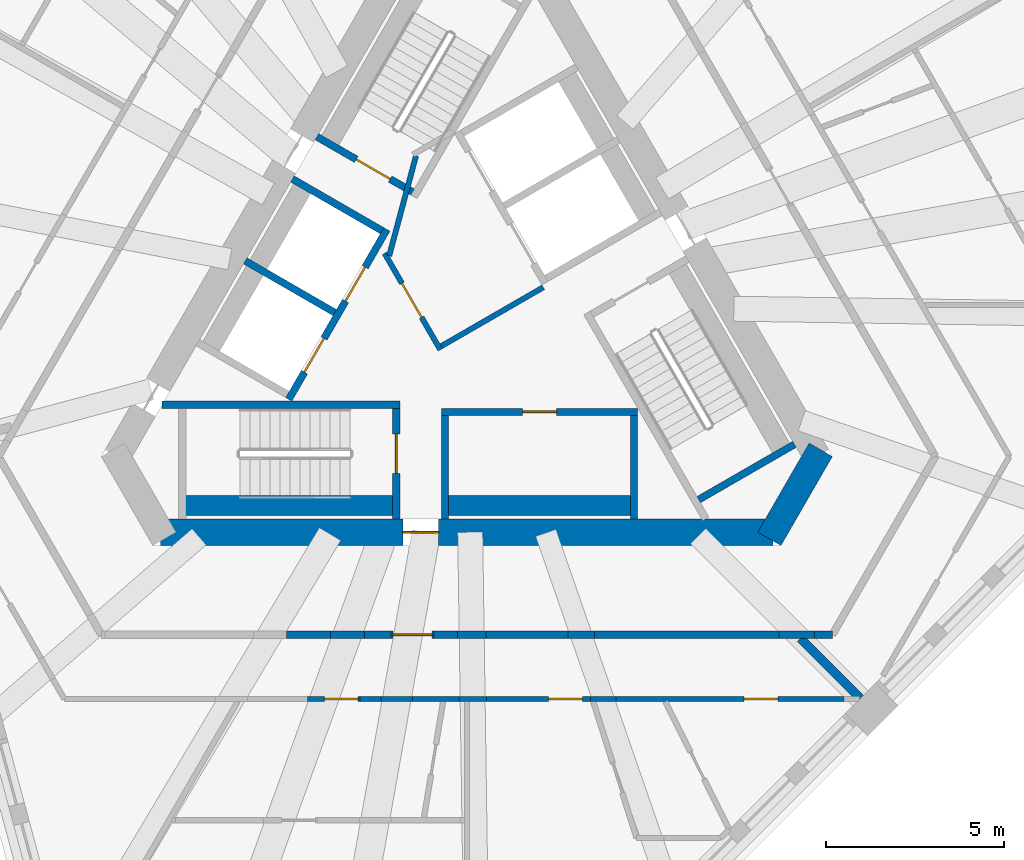
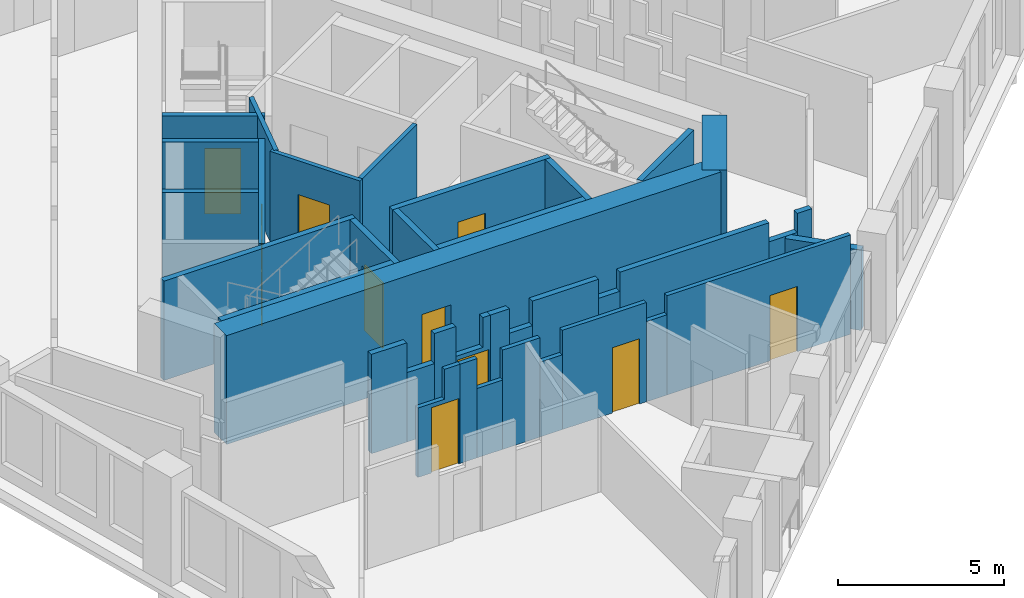
# One storey, part 4 of 13: 37 walls, 11 doors, 11 openings.
"""IFC4 building model written with IfcOpenShell, lengths in metres."""

from ifc_helpers import new_model, si_unit, direction, frame, frame_2d, origin, place, context, subcontext, project, spatial, polyline, rectangle, outline, extrude, material, layer, layer_set, type_object, element, fill, save


model = new_model("IFC4")

# Units and contexts
model_context = context("Model", 3, precision=1e-05, world=origin(), true_north=direction((0.0, 1.0)))
body_context = subcontext(model_context, "Body", "Model", "MODEL_VIEW")
ifc_project = project(units=[si_unit("LENGTHUNIT", "METRE"), si_unit("AREAUNIT", "SQUARE_METRE"), si_unit("VOLUMEUNIT", "CUBIC_METRE"), si_unit("PLANEANGLEUNIT", "RADIAN"), si_unit("MASSUNIT", "GRAM", prefix="KILO")], contexts=[model_context])

# Site, building, storey
site_placement = place(None, origin())
site = spatial("IfcSite", under=ifc_project, at=site_placement, CompositionType="ELEMENT")
building_placement = place(site_placement, origin())
building = spatial("IfcBuilding", under=site, at=building_placement, Name="Tramontana Tower", CompositionType="ELEMENT")
storey_placement = place(building_placement, frame((0.0, 0.0, 208.0)))
storey = spatial("IfcBuildingStorey", under=building, at=storey_placement, Name="L48", CompositionType="ELEMENT", Elevation=208.0)

# Wall, opening, door
ifc_material_1 = material(Name="Concrete 70 MPa", Category="concrete")
ifc_layer_1 = layer(ifc_material_1, 0.75)
ifc_layer_set_1 = layer_set([ifc_layer_1], Name="Core wall 750 70 MPa")
wall_type_1 = type_object("IfcWallType", Name="Core wall 750 70 MPa", PredefinedType="SHEAR", material=ifc_layer_set_1)
wall_1_placement = place(storey_placement, frame((-8.588134765625, -6.375, 0.0), z_axis=(0.0, 0.0, 1.0), x_axis=(1.0, 0.0, 0.0)))
wall_1 = element("IfcWall", 1, at=wall_1_placement, inside=storey, type_object=wall_type_1, Name="Core wall C3 L48", PredefinedType="SHEAR", context=body_context, shape_type="SweptSolid", body=[
    extrude(rectangle(XDim=17.17626953125, YDim=0.75, at=frame_2d((8.588134765625, 0.0))), origin(), (0.0, 0.0, 1.0), 4.0),
])
opening_1_placement = place(wall_1_placement, frame((6.793212890625, 0.0, 0.0)))
opening_1 = element("IfcOpeningElement", 2, at=opening_1_placement, cuts=wall_1, Name="Opening RG2", PredefinedType="OPENING", context=body_context, shape_type="SweptSolid", body=[
    extrude(rectangle(XDim=1.0, YDim=2.39990234375, at=frame_2d((0.5, 1.199951171875))), frame((0.0, 0.385009765625, 0.0), z_axis=(0.0, -1.0, 0.0), x_axis=(1.0, 0.0, 0.0)), (0.0, 0.0, 1.0), 0.77001953125),
])
ifc_material_2 = material(Name="Painted steel", Category="steel")
door_type_1 = type_object("IfcDoorType", Name="RING DOOR 1000", OperationType="SINGLE_SWING_LEFT", PredefinedType="DOOR", material=ifc_material_2)
door_1_placement = place(opening_1_placement, origin())
door_1 = element("IfcDoor", 3, at=door_1_placement, inside=storey, type_object=door_type_1, Name="Door RG2", OperationType="SINGLE_SWING_RIGHT", OverallHeight=2.39990234375, OverallWidth=1.0, PredefinedType="DOOR", context=body_context, shape_type="SweptSolid", body=[
    extrude(rectangle(XDim=1.0, YDim=2.39990234375, at=frame_2d((0.5, 1.199951171875))), frame((0.0, 0.02490234375, 0.0), z_axis=(0.0, -1.0, 0.0), x_axis=(1.0, 0.0, 0.0)), (0.0, 0.0, 1.0), 0.050048828125),
])
fill(opening_1, door_1)

# Walls
wall_2_placement = place(storey_placement, frame((8.479736328125, -6.5625, 0.0), z_axis=(0.0, 0.0, 1.0), x_axis=(0.499995765644, 0.866027848477, 0.0)))
element("IfcWall", 4, at=wall_2_placement, inside=storey, type_object=wall_type_1, Name="Core wall C4 L48", PredefinedType="SHEAR", context=body_context, shape_type="SweptSolid", body=[
    extrude(rectangle(XDim=2.88671875, YDim=0.75, at=frame_2d((1.443359375, 0.0))), origin(), (0.0, 0.0, 1.0), 4.0),
])
ifc_material_3 = material(Name="Blockwork", Category="masonry")
ifc_layer_2 = layer(ifc_material_3, 0.199951171875)
ifc_layer_set_2 = layer_set([ifc_layer_2], Name="ENTRY WALL 200")
wall_type_2 = type_object("IfcWallType", Name="ENTRY WALL 200", PredefinedType="SOLIDWALL", material=ifc_layer_set_2)
wall_3_placement = place(storey_placement, frame((10.248046875, -9.25, 0.0), z_axis=(0.0, 0.0, 1.0), x_axis=(-1.0, 0.0, 0.0)))
element("IfcWall", 5, at=wall_3_placement, inside=storey, type_object=wall_type_2, Name="Wall v50-ew2-0", PredefinedType="SOLIDWALL", context=body_context, shape_type="SweptSolid", body=[
    extrude(rectangle(XDim=0.503173828125, YDim=0.199951171875, at=frame_2d((0.25146484375, 0.0))), origin(), (0.0, 0.0, 1.0), 3.64990234375),
])
wall_4_placement = place(storey_placement, frame((9.744873046875, -9.25, 0.0), z_axis=(0.0, 0.0, 1.0), x_axis=(-1.0, 0.0, 0.0)))
element("IfcWall", 6, at=wall_4_placement, inside=storey, type_object=wall_type_2, Name="Wall v50-ew2-1", PredefinedType="SOLIDWALL", context=body_context, shape_type="SweptSolid", body=[
    extrude(rectangle(XDim=0.98974609375, YDim=0.199951171875, at=frame_2d((0.494873046875, 0.0))), origin(), (0.0, 0.0, 1.0), 2.949951171875),
])
wall_5_placement = place(storey_placement, frame((8.755126953125, -9.25, 0.0), z_axis=(0.0, 0.0, 1.0), x_axis=(-1.0, 0.0, 0.0)))
element("IfcWall", 7, at=wall_5_placement, inside=storey, type_object=wall_type_2, Name="Wall v50-ew2-2", PredefinedType="SOLIDWALL", context=body_context, shape_type="SweptSolid", body=[
    extrude(rectangle(XDim=5.18212890625, YDim=0.199951171875, at=frame_2d((2.591064453125, 0.0))), origin(), (0.0, 0.0, 1.0), 3.64990234375),
])
wall_6_placement = place(storey_placement, frame((3.572998046875, -9.25, 0.0), z_axis=(0.0, 0.0, 1.0), x_axis=(-1.0, 0.0, 0.0)))
element("IfcWall", 8, at=wall_6_placement, inside=storey, type_object=wall_type_2, Name="Wall v50-ew2-3", PredefinedType="SOLIDWALL", context=body_context, shape_type="SweptSolid", body=[
    extrude(rectangle(XDim=0.74072265625, YDim=0.199951171875, at=frame_2d((0.370361328125, 0.0))), origin(), (0.0, 0.0, 1.0), 2.949951171875),
])
wall_7_placement = place(storey_placement, frame((2.832275390625, -9.25, 0.0), z_axis=(0.0, 0.0, 1.0), x_axis=(-1.0, 0.0, 0.0)))
element("IfcWall", 9, at=wall_7_placement, inside=storey, type_object=wall_type_2, Name="Wall v50-ew2-4", PredefinedType="SOLIDWALL", context=body_context, shape_type="SweptSolid", body=[
    extrude(rectangle(XDim=2.29736328125, YDim=0.199951171875, at=frame_2d((1.148681640625, 0.0))), origin(), (0.0, 0.0, 1.0), 3.64990234375),
])
wall_8_placement = place(storey_placement, frame((0.534912109375, -9.25, 0.0), z_axis=(0.0, 0.0, 1.0), x_axis=(-1.0, 0.0, 0.0)))
element("IfcWall", 10, at=wall_8_placement, inside=storey, type_object=wall_type_2, Name="Wall v50-ew2-5", PredefinedType="SOLIDWALL", context=body_context, shape_type="SweptSolid", body=[
    extrude(rectangle(XDim=0.800048828125, YDim=0.199951171875, at=frame_2d((0.39990234375, 0.0))), origin(), (0.0, 0.0, 1.0), 2.75),
])
wall_9_placement = place(storey_placement, frame((-0.26513671875, -9.25, 0.0), z_axis=(0.0, 0.0, 1.0), x_axis=(-1.0, 0.0, 0.0)))
element("IfcWall", 11, at=wall_9_placement, inside=storey, type_object=wall_type_2, Name="Wall v50-ew2-6", PredefinedType="SOLIDWALL", context=body_context, shape_type="SweptSolid", body=[
    extrude(rectangle(XDim=0.656982421875, YDim=0.199951171875, at=frame_2d((0.32861328125, 0.0))), origin(), (0.0, 0.0, 1.0), 3.64990234375),
])

# Wall, opening, door
wall_10_placement = place(storey_placement, frame((-2.1220703125, -9.25, 0.0), z_axis=(0.0, 0.0, 1.0), x_axis=(1.0, 0.0, 0.0)))
wall_10 = element("IfcWall", 12, at=wall_10_placement, inside=storey, type_object=wall_type_2, Name="Wall v50-ew2-7", PredefinedType="SOLIDWALL", context=body_context, shape_type="SweptSolid", body=[
    extrude(outline(polyline([(0.0, 0.0), (1.199951171875, 0.0), (1.199951171875, 3.64990234375), (0.933349609375, 3.64990234375), (0.933349609375, 2.550048828125), (0.0, 2.550048828125), (0.0, 0.0)])), frame((0.0, 0.10009765625, 0.0), z_axis=(0.0, -1.0, 0.0), x_axis=(1.0, 0.0, 0.0)), (0.0, 0.0, 1.0), 0.199951171875),
])
opening_2_placement = place(wall_10_placement, frame((0.050048828125, 0.0, 0.0)))
opening_2 = element("IfcOpeningElement", 13, at=opening_2_placement, cuts=wall_10, Name="Opening B5A-23", PredefinedType="OPENING", context=body_context, shape_type="SweptSolid", body=[
    extrude(rectangle(XDim=1.10009765625, YDim=2.39990234375, at=frame_2d((0.550048828125, 1.199951171875))), frame((0.0, 0.10986328125, 0.0), z_axis=(0.0, -1.0, 0.0), x_axis=(1.0, 0.0, 0.0)), (0.0, 0.0, 1.0), 0.219970703125),
])
ifc_material_4 = material(Name="Painted timber", Category="wood")
door_type_2 = type_object("IfcDoorType", Name="DOOR ENTRY 1100", OperationType="SINGLE_SWING_LEFT", PredefinedType="DOOR", material=ifc_material_4)
door_2_placement = place(opening_2_placement, origin())
door_2 = element("IfcDoor", 14, at=door_2_placement, inside=storey, type_object=door_type_2, Name="Door B5A-23", OperationType="SINGLE_SWING_LEFT", OverallHeight=2.39990234375, OverallWidth=1.10009765625, PredefinedType="DOOR", context=body_context, shape_type="SweptSolid", body=[
    extrude(rectangle(XDim=1.10009765625, YDim=2.39990234375, at=frame_2d((0.550048828125, 1.199951171875))), frame((0.0, 0.02490234375, 0.0), z_axis=(0.0, -1.0, 0.0), x_axis=(1.0, 0.0, 0.0)), (0.0, 0.0, 1.0), 0.050048828125),
])
fill(opening_2, door_2)

# Walls
wall_11_placement = place(storey_placement, frame((-2.1220703125, -9.25, 0.0), z_axis=(0.0, 0.0, 1.0), x_axis=(-1.0, 0.0, 0.0)))
element("IfcWall", 15, at=wall_11_placement, inside=storey, type_object=wall_type_2, Name="Wall v50-ew2-8", PredefinedType="SOLIDWALL", context=body_context, shape_type="SweptSolid", body=[
    extrude(rectangle(XDim=0.749755859375, YDim=0.199951171875, at=frame_2d((0.375, 0.0))), origin(), (0.0, 0.0, 1.0), 3.64990234375),
])
wall_12_placement = place(storey_placement, frame((-2.871826171875, -9.25, 0.0), z_axis=(0.0, 0.0, 1.0), x_axis=(-1.0, 0.0, 0.0)))
element("IfcWall", 16, at=wall_12_placement, inside=storey, type_object=wall_type_2, Name="Wall v50-ew2-9", PredefinedType="SOLIDWALL", context=body_context, shape_type="SweptSolid", body=[
    extrude(rectangle(XDim=0.957275390625, YDim=0.199951171875, at=frame_2d((0.478515625, 0.0))), origin(), (0.0, 0.0, 1.0), 2.550048828125),
])
wall_13_placement = place(storey_placement, frame((-3.8291015625, -9.25, 0.0), z_axis=(0.0, 0.0, 1.0), x_axis=(-1.0, 0.0, 0.0)))
element("IfcWall", 17, at=wall_13_placement, inside=storey, type_object=wall_type_2, Name="Wall v50-ew2-10", PredefinedType="SOLIDWALL", context=body_context, shape_type="SweptSolid", body=[
    extrude(rectangle(XDim=1.22705078125, YDim=0.199951171875, at=frame_2d((0.613525390625, 0.0))), origin(), (0.0, 0.0, 1.0), 3.64990234375),
])

# Wall, opening, door
ifc_material_5 = material(Name="Gypsum board partition")
ifc_layer_3 = layer(ifc_material_5, 0.14990234375)
ifc_layer_set_3 = layer_set([ifc_layer_3], Name="PARTITION 150")
wall_type_3 = type_object("IfcWallType", Name="PARTITION 150", PredefinedType="PARTITIONING", material=ifc_layer_set_3)
wall_14_placement = place(storey_placement, frame((-0.744140625, -1.260986328125, 0.0), z_axis=(0.0, 0.0, 1.0), x_axis=(-0.500004234368, 0.866022959057, 0.0)))
wall_14 = element("IfcWall", 18, at=wall_14_placement, inside=storey, type_object=wall_type_3, Name="Wall ff-front", PredefinedType="PARTITIONING", context=body_context, shape_type="SweptSolid", body=[
    extrude(rectangle(XDim=3.125, YDim=0.14990234375, at=frame_2d((1.5625, 0.0))), origin(), (0.0, 0.0, 1.0), 3.64990234375),
])
opening_3_placement = place(wall_14_placement, frame((1.050048828125, 0.0, 0.0)))
opening_3 = element("IfcOpeningElement", 19, at=opening_3_placement, cuts=wall_14, Name="Opening FD1", PredefinedType="OPENING", context=body_context, shape_type="SweptSolid", body=[
    extrude(rectangle(XDim=1.10009765625, YDim=2.39990234375, at=frame_2d((0.550048828125, 1.199951171875))), frame((0.0, 0.0849609375, 0.0), z_axis=(0.0, -1.0, 0.0), x_axis=(1.0, 0.0, 0.0)), (0.0, 0.0, 1.0), 0.169921875),
])
door_3_placement = place(opening_3_placement, origin())
door_3 = element("IfcDoor", 20, at=door_3_placement, inside=storey, type_object=door_type_2, Name="Door FD1", OperationType="SINGLE_SWING_RIGHT", OverallHeight=2.39990234375, OverallWidth=1.10009765625, PredefinedType="DOOR", context=body_context, shape_type="SweptSolid", body=[
    extrude(rectangle(XDim=1.10009765625, YDim=2.39990234375, at=frame_2d((0.550048828125, 1.199951171875))), frame((0.0, 0.02490234375, 0.0), z_axis=(0.0, -1.0, 0.0), x_axis=(1.0, 0.0, 0.0)), (0.0, 0.0, 1.0), 0.050048828125),
])
fill(opening_3, door_3)

# Walls
wall_15_placement = place(storey_placement, frame((-0.716796875, -1.15869140625, 0.0), z_axis=(0.0, 0.0, 1.0), x_axis=(0.866008176907, 0.50002983664, 0.0)))
element("IfcWall", 21, at=wall_15_placement, inside=storey, type_object=wall_type_3, Name="Wall ff-end0", PredefinedType="PARTITIONING", context=body_context, shape_type="SweptSolid", body=[
    extrude(rectangle(XDim=3.300048828125, YDim=0.14990234375, at=frame_2d((1.64990234375, 0.0))), origin(), (0.0, 0.0, 1.0), 3.64990234375),
])
wall_16_placement = place(storey_placement, frame((-2.177978515625, 1.372314453125, 0.0), z_axis=(0.0, 0.0, 1.0), x_axis=(0.258808958833, 0.96592852884, 0.0)))
element("IfcWall", 22, at=wall_16_placement, inside=storey, type_object=wall_type_3, Name="Wall ff-diag", PredefinedType="PARTITIONING", context=body_context, shape_type="SweptSolid", body=[
    extrude(rectangle(XDim=2.902587890625, YDim=0.14990234375, at=frame_2d((1.451171875, 0.0))), origin(), (0.0, 0.0, 1.0), 3.64990234375),
])

# Wall, opening, door
wall_17_placement = place(storey_placement, frame((10.57275390625, -11.050048828125, 0.0), z_axis=(0.0, 0.0, 1.0), x_axis=(-1.0, 0.0, 0.0)))
wall_17 = element("IfcWall", 23, at=wall_17_placement, inside=storey, type_object=wall_type_3, Name="Wall v50-pw24-1", PredefinedType="PARTITIONING", context=body_context, shape_type="SweptSolid", body=[
    extrude(rectangle(XDim=6.3896484375, YDim=0.14990234375, at=frame_2d((3.19482421875, 0.0))), origin(), (0.0, 0.0, 1.0), 3.64990234375),
])
opening_4_placement = place(wall_17_placement, frame((1.849365234375, 0.0, 0.0)))
opening_4 = element("IfcOpeningElement", 24, at=opening_4_placement, cuts=wall_17, Name="Opening B5A-08", PredefinedType="OPENING", context=body_context, shape_type="SweptSolid", body=[
    extrude(rectangle(XDim=0.949951171875, YDim=2.39990234375, at=frame_2d((0.47509765625, 1.199951171875))), frame((0.0, 0.0849609375, 0.0), z_axis=(0.0, -1.0, 0.0), x_axis=(1.0, 0.0, 0.0)), (0.0, 0.0, 1.0), 0.169921875),
])
ifc_material_6 = material(Name="Painted timber", Category="wood")
door_type_3 = type_object("IfcDoorType", Name="DOOR ROOM 950", OperationType="SINGLE_SWING_LEFT", PredefinedType="DOOR", material=ifc_material_6)
door_4_placement = place(opening_4_placement, origin())
door_4 = element("IfcDoor", 25, at=door_4_placement, inside=storey, type_object=door_type_3, Name="Door B5A-08", OperationType="SINGLE_SWING_RIGHT", OverallHeight=2.39990234375, OverallWidth=0.949951171875, PredefinedType="DOOR", context=body_context, shape_type="SweptSolid", body=[
    extrude(rectangle(XDim=0.949951171875, YDim=2.39990234375, at=frame_2d((0.47509765625, 1.199951171875))), frame((0.0, 0.02490234375, 0.0), z_axis=(0.0, -1.0, 0.0), x_axis=(1.0, 0.0, 0.0)), (0.0, 0.0, 1.0), 0.050048828125),
])
fill(opening_4, door_4)

# Wall
wall_18_placement = place(storey_placement, frame((4.18310546875, -11.050048828125, 0.0), z_axis=(0.0, 0.0, 1.0), x_axis=(-1.0, 0.0, 0.0)))
element("IfcWall", 26, at=wall_18_placement, inside=storey, type_object=wall_type_3, Name="Wall v50-pw24-2", PredefinedType="PARTITIONING", context=body_context, shape_type="SweptSolid", body=[
    extrude(rectangle(XDim=0.71435546875, YDim=0.14990234375, at=frame_2d((0.357177734375, 0.0))), origin(), (0.0, 0.0, 1.0), 2.949951171875),
])

# Wall, opening, door
wall_19_placement = place(storey_placement, frame((3.46875, -11.050048828125, 0.0), z_axis=(0.0, 0.0, 1.0), x_axis=(-1.0, 0.0, 0.0)))
wall_19 = element("IfcWall", 27, at=wall_19_placement, inside=storey, type_object=wall_type_3, Name="Wall v50-pw24-3", PredefinedType="PARTITIONING", context=body_context, shape_type="SweptSolid", body=[
    extrude(rectangle(XDim=2.919921875, YDim=0.14990234375, at=frame_2d((1.4599609375, 0.0))), origin(), (0.0, 0.0, 1.0), 3.64990234375),
])
opening_5_placement = place(wall_19_placement, frame((0.227783203125, 0.0, 0.0)))
opening_5 = element("IfcOpeningElement", 28, at=opening_5_placement, cuts=wall_19, Name="Opening B5A-07", PredefinedType="OPENING", context=body_context, shape_type="SweptSolid", body=[
    extrude(rectangle(XDim=0.949951171875, YDim=2.39990234375, at=frame_2d((0.47509765625, 1.199951171875))), frame((0.0, 0.0849609375, 0.0), z_axis=(0.0, -1.0, 0.0), x_axis=(1.0, 0.0, 0.0)), (0.0, 0.0, 1.0), 0.169921875),
])
door_5_placement = place(opening_5_placement, origin())
door_5 = element("IfcDoor", 29, at=door_5_placement, inside=storey, type_object=door_type_3, Name="Door B5A-07", OperationType="SINGLE_SWING_LEFT", OverallHeight=2.39990234375, OverallWidth=0.949951171875, PredefinedType="DOOR", context=body_context, shape_type="SweptSolid", body=[
    extrude(rectangle(XDim=0.949951171875, YDim=2.39990234375, at=frame_2d((0.47509765625, 1.199951171875))), frame((0.0, 0.02490234375, 0.0), z_axis=(0.0, -1.0, 0.0), x_axis=(1.0, 0.0, 0.0)), (0.0, 0.0, 1.0), 0.050048828125),
])
fill(opening_5, door_5)

# Walls
wall_20_placement = place(storey_placement, frame((0.548828125, -11.050048828125, 0.0), z_axis=(0.0, 0.0, 1.0), x_axis=(-1.0, 0.0, 0.0)))
element("IfcWall", 30, at=wall_20_placement, inside=storey, type_object=wall_type_3, Name="Wall v50-pw24-4", PredefinedType="PARTITIONING", context=body_context, shape_type="SweptSolid", body=[
    extrude(rectangle(XDim=0.775146484375, YDim=0.14990234375, at=frame_2d((0.3876953125, 0.0))), origin(), (0.0, 0.0, 1.0), 2.75),
])
wall_21_placement = place(storey_placement, frame((-0.226318359375, -11.050048828125, 0.0), z_axis=(0.0, 0.0, 1.0), x_axis=(-1.0, 0.0, 0.0)))
element("IfcWall", 31, at=wall_21_placement, inside=storey, type_object=wall_type_3, Name="Wall v50-pw24-5", PredefinedType="PARTITIONING", context=body_context, shape_type="SweptSolid", body=[
    extrude(rectangle(XDim=1.29541015625, YDim=0.14990234375, at=frame_2d((0.647705078125, 0.0))), origin(), (0.0, 0.0, 1.0), 3.64990234375),
])
wall_22_placement = place(storey_placement, frame((-1.521728515625, -11.050048828125, 0.0), z_axis=(0.0, 0.0, 1.0), x_axis=(-1.0, 0.0, 0.0)))
element("IfcWall", 32, at=wall_22_placement, inside=storey, type_object=wall_type_3, Name="Wall v50-pw24-6", PredefinedType="PARTITIONING", context=body_context, shape_type="SweptSolid", body=[
    extrude(rectangle(XDim=0.888671875, YDim=0.14990234375, at=frame_2d((0.4443359375, 0.0))), origin(), (0.0, 0.0, 1.0), 2.550048828125),
])
wall_23_placement = place(storey_placement, frame((-2.410400390625, -11.050048828125, 0.0), z_axis=(0.0, 0.0, 1.0), x_axis=(-1.0, 0.0, 0.0)))
element("IfcWall", 33, at=wall_23_placement, inside=storey, type_object=wall_type_3, Name="Wall v50-pw24-7", PredefinedType="PARTITIONING", context=body_context, shape_type="SweptSolid", body=[
    extrude(rectangle(XDim=0.58544921875, YDim=0.14990234375, at=frame_2d((0.292724609375, 0.0))), origin(), (0.0, 0.0, 1.0), 3.64990234375),
])

# Wall, opening, door
wall_24_placement = place(storey_placement, frame((-2.995849609375, -11.050048828125, 0.0), z_axis=(0.0, 0.0, 1.0), x_axis=(-1.0, 0.0, 0.0)))
wall_24 = element("IfcWall", 34, at=wall_24_placement, inside=storey, type_object=wall_type_3, Name="Wall v50-pw24-8", PredefinedType="PARTITIONING", context=body_context, shape_type="SweptSolid", body=[
    extrude(outline(polyline([(0.0, 0.0), (1.471923828125, 0.0), (1.471923828125, 2.550048828125), (0.541259765625, 2.550048828125), (0.541259765625, 3.64990234375), (0.0, 3.64990234375), (0.0, 0.0)])), frame((0.0, 0.074951171875, 0.0), z_axis=(0.0, -1.0, 0.0), x_axis=(1.0, 0.0, 0.0)), (0.0, 0.0, 1.0), 0.14990234375),
])
opening_6_placement = place(wall_24_placement, frame((0.050048828125, 0.0, 0.0)))
opening_6 = element("IfcOpeningElement", 35, at=opening_6_placement, cuts=wall_24, Name="Opening B5A-05", PredefinedType="OPENING", context=body_context, shape_type="SweptSolid", body=[
    extrude(rectangle(XDim=0.949951171875, YDim=2.39990234375, at=frame_2d((0.47509765625, 1.199951171875))), frame((0.0, 0.0849609375, 0.0), z_axis=(0.0, -1.0, 0.0), x_axis=(1.0, 0.0, 0.0)), (0.0, 0.0, 1.0), 0.169921875),
])
door_6_placement = place(opening_6_placement, origin())
door_6 = element("IfcDoor", 36, at=door_6_placement, inside=storey, type_object=door_type_3, Name="Door B5A-05", OperationType="SINGLE_SWING_LEFT", OverallHeight=2.39990234375, OverallWidth=0.949951171875, PredefinedType="DOOR", context=body_context, shape_type="SweptSolid", body=[
    extrude(rectangle(XDim=0.949951171875, YDim=2.39990234375, at=frame_2d((0.47509765625, 1.199951171875))), frame((0.0, 0.02490234375, 0.0), z_axis=(0.0, -1.0, 0.0), x_axis=(1.0, 0.0, 0.0)), (0.0, 0.0, 1.0), 0.050048828125),
])
fill(opening_6, door_6)

# Walls
ifc_material_7 = material(Name="Blockwork", Category="masonry")
ifc_layer_4 = layer(ifc_material_7, 0.25)
ifc_layer_set_4 = layer_set([ifc_layer_4], Name="PARTY WALL 250")
wall_type_4 = type_object("IfcWallType", Name="PARTY WALL 250", PredefinedType="SOLIDWALL", material=ifc_layer_set_4)
wall_25_placement = place(storey_placement, frame((9.35009765625, -9.35009765625, 0.0), z_axis=(0.0, 0.0, 1.0), x_axis=(0.707106781187, -0.707106781187, 0.0)))
element("IfcWall", 37, at=wall_25_placement, inside=storey, type_object=wall_type_4, Name="Wall v50-pw19-0", PredefinedType="SOLIDWALL", context=body_context, shape_type="SweptSolid", body=[
    extrude(rectangle(XDim=2.376708984375, YDim=0.25, at=frame_2d((1.1884765625, 0.0))), origin(), (0.0, 0.0, 1.0), 2.949951171875),
])
ifc_material_8 = material(Name="Concrete 70 MPa", Category="concrete")
ifc_layer_5 = layer(ifc_material_8, 0.550048828125)
ifc_layer_set_5 = layer_set([ifc_layer_5], Name="Concrete 70 MPa, 550 mm")
wall_type_5 = type_object("IfcWallType", Name="RC SHAFT BACK WALL 550", PredefinedType="SOLIDWALL", material=ifc_layer_set_5)
wall_26_placement = place(storey_placement, frame((-8.080078125, -5.625, 0.0), z_axis=(0.0, 0.0, 1.0), x_axis=(1.0, 0.0, 0.0)))
element("IfcWall", 38, at=wall_26_placement, inside=storey, type_object=wall_type_5, Name="Wall st2-back", PredefinedType="SOLIDWALL", context=body_context, shape_type="SweptSolid", body=[
    extrude(rectangle(XDim=6.2001953125, YDim=0.550048828125, at=frame_2d((3.10009765625, 0.0))), origin(), (0.0, 0.0, 1.0), 3.64990234375),
])
wall_27_placement = place(storey_placement, frame((-0.7099609375, -5.625, 0.0), z_axis=(0.0, 0.0, 1.0), x_axis=(1.0, 0.0, 0.0)))
element("IfcWall", 39, at=wall_27_placement, inside=storey, type_object=wall_type_5, Name="Wall row1-back", PredefinedType="SOLIDWALL", context=body_context, shape_type="SweptSolid", body=[
    extrude(rectangle(XDim=5.5, YDim=0.550048828125, at=frame_2d((2.75, 0.0))), origin(), (0.0, 0.0, 1.0), 3.64990234375),
])

# Wall, opening, door
ifc_material_9 = material(Name="Concrete 70 MPa", Category="concrete")
ifc_layer_6 = layer(ifc_material_9, 0.199951171875)
ifc_layer_set_6 = layer_set([ifc_layer_6], Name="Concrete 70 MPa, 200 mm")
wall_type_6 = type_object("IfcWallType", Name="RC STAIR AND SHAFT WALL 200", PredefinedType="SOLIDWALL", material=ifc_layer_set_6)
wall_28_placement = place(storey_placement, frame((-1.521484375, 3.164794921875, 0.0), z_axis=(0.0, 0.0, 1.0), x_axis=(-0.86600983753, 0.500026960575, 0.0)))
wall_28 = element("IfcWall", 40, at=wall_28_placement, inside=storey, type_object=wall_type_6, Name="Wall st1-near", PredefinedType="SOLIDWALL", context=body_context, shape_type="SweptSolid", body=[
    extrude(rectangle(XDim=3.099853515625, YDim=0.199951171875, at=frame_2d((1.5498046875, 0.0))), origin(), (0.0, 0.0, 1.0), 3.64990234375),
])
opening_7_placement = place(wall_28_placement, frame((0.72509765625, 0.0, 0.0)))
opening_7 = element("IfcOpeningElement", 41, at=opening_7_placement, cuts=wall_28, Name="Opening SD1", PredefinedType="OPENING", context=body_context, shape_type="SweptSolid", body=[
    extrude(rectangle(XDim=1.10009765625, YDim=2.39990234375, at=frame_2d((0.550048828125, 1.199951171875))), frame((0.0, 0.10986328125, 0.0), z_axis=(0.0, -1.0, 0.0), x_axis=(1.0, 0.0, 0.0)), (0.0, 0.0, 1.0), 0.219970703125),
])
ifc_material_10 = material(Name="Painted steel", Category="steel")
door_type_4 = type_object("IfcDoorType", Name="STAIR DOOR 1100", OperationType="SINGLE_SWING_LEFT", PredefinedType="DOOR", material=ifc_material_10)
door_7_placement = place(opening_7_placement, origin())
door_7 = element("IfcDoor", 42, at=door_7_placement, inside=storey, type_object=door_type_4, Name="Door SD1", OperationType="SINGLE_SWING_RIGHT", OverallHeight=2.39990234375, OverallWidth=1.10009765625, PredefinedType="DOOR", context=body_context, shape_type="SweptSolid", body=[
    extrude(rectangle(XDim=1.10009765625, YDim=2.39990234375, at=frame_2d((0.550048828125, 1.199951171875))), frame((0.0, 0.02490234375, 0.0), z_axis=(0.0, -1.0, 0.0), x_axis=(1.0, 0.0, 0.0)), (0.0, 0.0, 1.0), 0.050048828125),
])
fill(opening_7, door_7)

# Wall
wall_29_placement = place(storey_placement, frame((-8.544677734375, -2.800048828125, 0.0), z_axis=(0.0, 0.0, 1.0), x_axis=(1.0, 0.0, 0.0)))
element("IfcWall", 43, at=wall_29_placement, inside=storey, type_object=wall_type_6, Name="Wall st2-front", PredefinedType="SOLIDWALL", context=body_context, shape_type="SweptSolid", body=[
    extrude(rectangle(XDim=6.664794921875, YDim=0.199951171875, at=frame_2d((3.33251953125, 0.0))), origin(), (0.0, 0.0, 1.0), 3.64990234375),
])

# Wall, opening, door
wall_30_placement = place(storey_placement, frame((-1.97998046875, -2.89990234375, 0.0), z_axis=(0.0, 0.0, 1.0), x_axis=(0.0, -1.0, 0.0)))
wall_30 = element("IfcWall", 44, at=wall_30_placement, inside=storey, type_object=wall_type_6, Name="Wall st2-near", PredefinedType="SOLIDWALL", context=body_context, shape_type="SweptSolid", body=[
    extrude(rectangle(XDim=3.10009765625, YDim=0.199951171875, at=frame_2d((1.550048828125, 0.0))), origin(), (0.0, 0.0, 1.0), 3.64990234375),
])
opening_8_placement = place(wall_30_placement, frame((0.72509765625, 0.0, 0.0)))
opening_8 = element("IfcOpeningElement", 45, at=opening_8_placement, cuts=wall_30, Name="Opening SD2", PredefinedType="OPENING", context=body_context, shape_type="SweptSolid", body=[
    extrude(rectangle(XDim=1.10009765625, YDim=2.39990234375, at=frame_2d((0.550048828125, 1.199951171875))), frame((0.0, 0.10986328125, 0.0), z_axis=(0.0, -1.0, 0.0), x_axis=(1.0, 0.0, 0.0)), (0.0, 0.0, 1.0), 0.219970703125),
])
door_8_placement = place(opening_8_placement, origin())
door_8 = element("IfcDoor", 46, at=door_8_placement, inside=storey, type_object=door_type_4, Name="Door SD2", OperationType="SINGLE_SWING_LEFT", OverallHeight=2.39990234375, OverallWidth=1.10009765625, PredefinedType="DOOR", context=body_context, shape_type="SweptSolid", body=[
    extrude(rectangle(XDim=1.10009765625, YDim=2.39990234375, at=frame_2d((0.550048828125, 1.199951171875))), frame((0.0, 0.02490234375, 0.0), z_axis=(0.0, -1.0, 0.0), x_axis=(1.0, 0.0, 0.0)), (0.0, 0.0, 1.0), 0.050048828125),
])
fill(opening_8, door_8)

# Wall
wall_31_placement = place(storey_placement, frame((6.50146484375, -5.4609375, 0.0), z_axis=(0.0, 0.0, 1.0), x_axis=(0.86600983753, 0.500026960575, 0.0)))
element("IfcWall", 47, at=wall_31_placement, inside=storey, type_object=wall_type_6, Name="Wall st3-far", PredefinedType="SOLIDWALL", context=body_context, shape_type="SweptSolid", body=[
    extrude(rectangle(XDim=3.099853515625, YDim=0.199951171875, at=frame_2d((1.5498046875, 0.0))), origin(), (0.0, 0.0, 1.0), 3.64990234375),
])

# Wall, openings, doors
wall_32_placement = place(storey_placement, frame((-2.2431640625, 2.114990234375, 0.0), z_axis=(0.0, 0.0, 1.0), x_axis=(-0.499996545922, -0.866027397988, 0.0)))
wall_32 = element("IfcWall", 48, at=wall_32_placement, inside=storey, type_object=wall_type_6, Name="Wall row0-front", PredefinedType="SOLIDWALL", context=body_context, shape_type="SweptSolid", body=[
    extrude(rectangle(XDim=5.5, YDim=0.199951171875, at=frame_2d((2.75, 0.0))), origin(), (0.0, 0.0, 1.0), 3.64990234375),
])
opening_9_placement = place(wall_32_placement, frame((1.219970703125, 0.0, 0.0)))
opening_9 = element("IfcOpeningElement", 49, at=opening_9_placement, cuts=wall_32, Name="Opening LD-P1", PredefinedType="OPENING", context=body_context, shape_type="SweptSolid", body=[
    extrude(rectangle(XDim=1.10009765625, YDim=2.10009765625, at=frame_2d((0.550048828125, 1.050048828125))), frame((0.0, 0.10986328125, 0.0), z_axis=(0.0, -1.0, 0.0), x_axis=(1.0, 0.0, 0.0)), (0.0, 0.0, 1.0), 0.219970703125),
])
opening_10_placement = place(wall_32_placement, frame((3.52490234375, 0.0, 0.0)))
opening_10 = element("IfcOpeningElement", 50, at=opening_10_placement, cuts=wall_32, Name="Opening LD-P2", PredefinedType="OPENING", context=body_context, shape_type="SweptSolid", body=[
    extrude(rectangle(XDim=1.10009765625, YDim=2.10009765625, at=frame_2d((0.550048828125, 1.050048828125))), frame((0.0, 0.10986328125, 0.0), z_axis=(0.0, -1.0, 0.0), x_axis=(1.0, 0.0, 0.0)), (0.0, 0.0, 1.0), 0.219970703125),
])
ifc_material_11 = material(Name="Brushed steel", Category="steel")
door_type_5 = type_object("IfcDoorType", Name="LANDING DOOR 1100", OperationType="SINGLE_SWING_LEFT", PredefinedType="DOOR", material=ifc_material_11)
door_9_placement = place(opening_9_placement, origin())
door_9 = element("IfcDoor", 51, at=door_9_placement, inside=storey, type_object=door_type_5, Name="Door LD-P1", OperationType="SLIDING_TO_LEFT", OverallHeight=2.10009765625, OverallWidth=1.10009765625, PredefinedType="DOOR", context=body_context, shape_type="SweptSolid", body=[
    extrude(rectangle(XDim=1.10009765625, YDim=2.10009765625, at=frame_2d((0.550048828125, 1.050048828125))), frame((0.0, 0.02490234375, 0.0), z_axis=(0.0, -1.0, 0.0), x_axis=(1.0, 0.0, 0.0)), (0.0, 0.0, 1.0), 0.050048828125),
])
fill(opening_9, door_9)
door_10_placement = place(opening_10_placement, origin())
door_10 = element("IfcDoor", 52, at=door_10_placement, inside=storey, type_object=door_type_5, Name="Door LD-P2", OperationType="SLIDING_TO_RIGHT", OverallHeight=2.10009765625, OverallWidth=1.10009765625, PredefinedType="DOOR", context=body_context, shape_type="SweptSolid", body=[
    extrude(rectangle(XDim=1.10009765625, YDim=2.10009765625, at=frame_2d((0.550048828125, 1.050048828125))), frame((0.0, 0.02490234375, 0.0), z_axis=(0.0, -1.0, 0.0), x_axis=(1.0, 0.0, 0.0)), (0.0, 0.0, 1.0), 0.050048828125),
])
fill(opening_10, door_10)

# Walls
wall_33_placement = place(storey_placement, frame((-2.379638671875, 2.078369140625, 0.0), z_axis=(0.0, 0.0, 1.0), x_axis=(-0.866032775405, 0.499987231761, 0.0)))
element("IfcWall", 53, at=wall_33_placement, inside=storey, type_object=wall_type_6, Name="Wall row0-side0", PredefinedType="SOLIDWALL", context=body_context, shape_type="SweptSolid", body=[
    extrude(rectangle(XDim=2.89990234375, YDim=0.199951171875, at=frame_2d((1.449951171875, 0.0))), origin(), (0.0, 0.0, 1.0), 3.64990234375),
])
wall_34_placement = place(storey_placement, frame((-3.70458984375, -0.216796875, 0.0), z_axis=(0.0, 0.0, 1.0), x_axis=(-0.865996321171, 0.50005036918, 0.0)))
element("IfcWall", 54, at=wall_34_placement, inside=storey, type_object=wall_type_6, Name="Wall row0-side1", PredefinedType="SOLIDWALL", context=body_context, shape_type="SweptSolid", body=[
    extrude(rectangle(XDim=2.900146484375, YDim=0.199951171875, at=frame_2d((1.4501953125, 0.0))), origin(), (0.0, 0.0, 1.0), 3.64990234375),
])

# Wall, opening, door
wall_35_placement = place(storey_placement, frame((4.7900390625, -3.0, 0.0), z_axis=(0.0, 0.0, 1.0), x_axis=(-1.0, 0.0, 0.0)))
wall_35 = element("IfcWall", 55, at=wall_35_placement, inside=storey, type_object=wall_type_6, Name="Wall row1-front", PredefinedType="SOLIDWALL", context=body_context, shape_type="SweptSolid", body=[
    extrude(rectangle(XDim=5.5, YDim=0.199951171875, at=frame_2d((2.75, 0.0))), origin(), (0.0, 0.0, 1.0), 3.64990234375),
])
opening_11_placement = place(wall_35_placement, frame((2.27490234375, 0.0, 0.0)))
opening_11 = element("IfcOpeningElement", 56, at=opening_11_placement, cuts=wall_35, Name="Opening RD-1", PredefinedType="OPENING", context=body_context, shape_type="SweptSolid", body=[
    extrude(rectangle(XDim=0.949951171875, YDim=2.39990234375, at=frame_2d((0.47509765625, 1.199951171875))), frame((0.0, 0.10986328125, 0.0), z_axis=(0.0, -1.0, 0.0), x_axis=(1.0, 0.0, 0.0)), (0.0, 0.0, 1.0), 0.219970703125),
])
door_11_placement = place(opening_11_placement, origin())
door_11 = element("IfcDoor", 57, at=door_11_placement, inside=storey, type_object=door_type_3, Name="Door RD-1", OperationType="SINGLE_SWING_LEFT", OverallHeight=2.39990234375, OverallWidth=0.949951171875, PredefinedType="DOOR", context=body_context, shape_type="SweptSolid", body=[
    extrude(rectangle(XDim=0.949951171875, YDim=2.39990234375, at=frame_2d((0.47509765625, 1.199951171875))), frame((0.0, 0.02490234375, 0.0), z_axis=(0.0, -1.0, 0.0), x_axis=(1.0, 0.0, 0.0)), (0.0, 0.0, 1.0), 0.050048828125),
])
fill(opening_11, door_11)

# Walls
for number, where, z_axis, x_axis, name in (
    (58, (-0.610107421875, -3.10009765625, 0.0), (0.0, 0.0, 1.0), (0.0, -1.0, 0.0), "Wall row1-side0"),
    (59, (4.68994140625, -3.10009765625, 0.0), (0.0, 0.0, 1.0), (0.0, -1.0, 0.0), "Wall row1-side2"),
):
    element("IfcWall", number, at=place(storey_placement, frame(where, z_axis=z_axis, x_axis=x_axis)), inside=storey, type_object=wall_type_6, Name=name, PredefinedType="SOLIDWALL", context=body_context, shape_type="SweptSolid", body=[
        extrude(rectangle(XDim=2.89990234375, YDim=0.199951171875, at=frame_2d((1.449951171875, 0.0))), origin(), (0.0, 0.0, 1.0), 3.64990234375),
    ])

save(model, "model.ifc")
